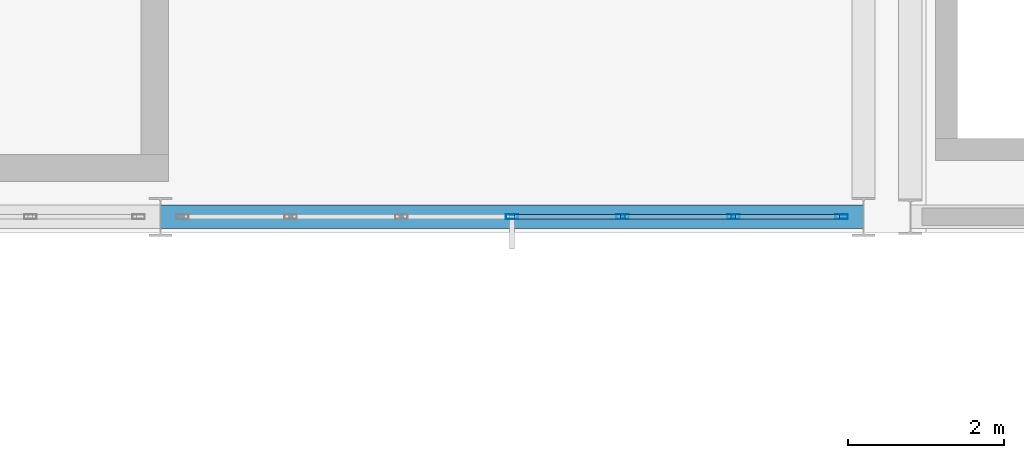
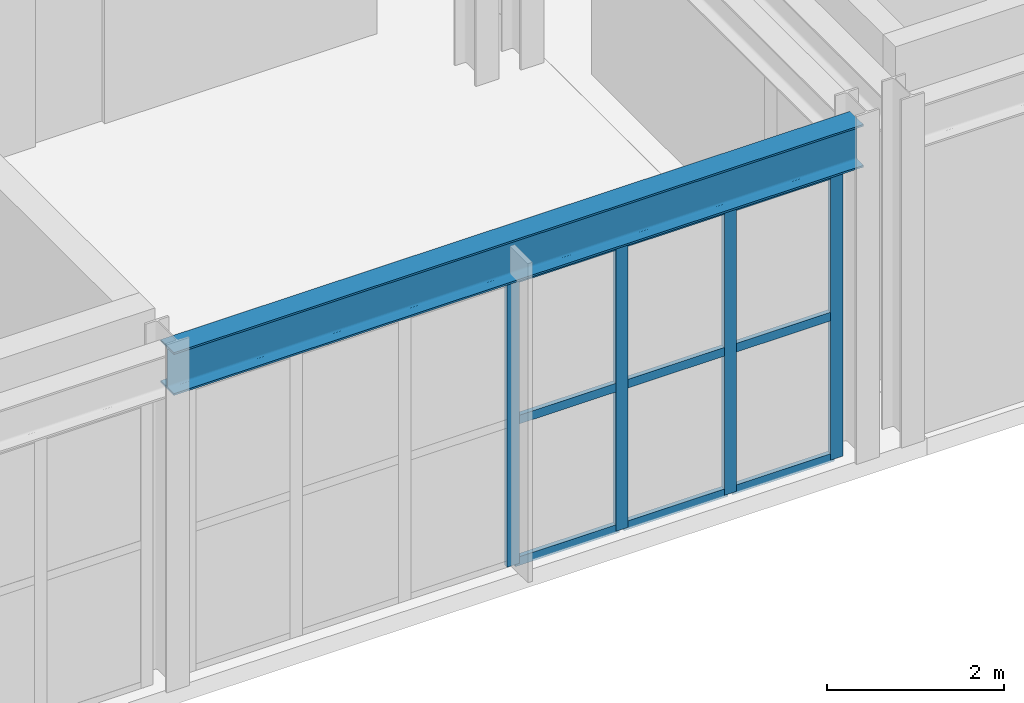
# One storey, part 35 of 112: 13 members, 1 beam, 1 element without a shape of its own.
"""IFC4 building model written with IfcOpenShell, lengths in metres."""

from ifc_helpers import new_model, si_unit, direction, frame, origin, origin_2d, place, context, subcontext, project, spatial, hollow_rectangle, i_section, extrude, material, material_profile, profile_set, type_object, element, aggregate, save


model = new_model("IFC4")

# Units and contexts
model_context = context("Model", 3, precision=1e-05, world=origin(), true_north=direction((0.0, 1.0)))
body_context = subcontext(model_context, "Body", "Model", "MODEL_VIEW")
ifc_project = project(units=[si_unit("LENGTHUNIT", "METRE"), si_unit("AREAUNIT", "SQUARE_METRE"), si_unit("VOLUMEUNIT", "CUBIC_METRE"), si_unit("PLANEANGLEUNIT", "RADIAN"), si_unit("MASSUNIT", "GRAM", prefix="KILO")], contexts=[model_context])

# Site, building, storey
site_placement = place(None, origin())
site = spatial("IfcSite", under=ifc_project, at=site_placement, CompositionType="ELEMENT")
building_placement = place(site_placement, origin())
building = spatial("IfcBuilding", under=site, at=building_placement, Name="Kaldris Quays Convention Centre", CompositionType="ELEMENT")
storey_placement = place(building_placement, frame((0.0, 0.0, 16.800048828125)))
storey = spatial("IfcBuildingStorey", under=building, at=storey_placement, Name="L03", CompositionType="ELEMENT", Elevation=16.800048828125)

# Curtain wall, members
ifc_material_1 = material(Name="Anodized aluminium AW-6060 and triple glazing", Category="aluminium")
curtain_wall_type = type_object("IfcCurtainWallType", Name="UNITISED CURTAIN WALL CW04", PredefinedType="NOTDEFINED", material=ifc_material_1)
curtain_wall_placement = place(storey_placement, origin())
curtain_wall = element("IfcCurtainWall", 1, at=curtain_wall_placement, inside=storey, type_object=curtain_wall_type, Name="L03 Unitised Curtain Wall CW04 127", PredefinedType="NOTDEFINED")
ifc_material_2 = material(Name="Anodized aluminium AW-6060", Category="aluminium")
ifc_material_profile_1 = material_profile(ifc_material_2, hollow_rectangle(XDim=0.06005859375, YDim=0.159912109375, WallThickness=0.00390625, at=origin_2d()), Name="RHS 160x60x4")
ifc_profile_set_1 = profile_set([ifc_material_profile_1], Name="Anodized aluminium AW-6060")
member_type_1 = type_object("IfcMemberType", Name="CURTAIN MULLION CWM1", PredefinedType="MULLION", material=ifc_profile_set_1)
member_1_placement = place(storey_placement, frame((141.5, 38.0, 0.0), z_axis=(0.0, 0.0, 1.0), x_axis=(0.0, 1.0, 0.0)))
member_1 = element("IfcMember", 2, at=member_1_placement, type_object=member_type_1, Name="CW04 mullion 4", PredefinedType="MULLION", context=body_context, shape_type="SweptSolid", body=[
    extrude(hollow_rectangle(XDim=0.06005859375, YDim=0.159912109375, WallThickness=0.00390625, at=origin_2d()), origin(), (0.0, 0.0, 1.0), 3.96484375),
])
member_2_placement = place(storey_placement, frame((142.916748046875, 38.0, 0.0), z_axis=(0.0, 0.0, 1.0), x_axis=(0.0, 1.0, 0.0)))
member_2 = element("IfcMember", 3, at=member_2_placement, type_object=member_type_1, Name="CW04 mullion 5", PredefinedType="MULLION", context=body_context, shape_type="SweptSolid", body=[
    extrude(hollow_rectangle(XDim=0.06005859375, YDim=0.159912109375, WallThickness=0.00390625, at=origin_2d()), origin(), (0.0, 0.0, 1.0), 3.96484375),
])
member_3_placement = place(storey_placement, frame((144.333251953125, 38.0, 0.0), z_axis=(0.0, 0.0, 1.0), x_axis=(0.0, 1.0, 0.0)))
member_3 = element("IfcMember", 4, at=member_3_placement, type_object=member_type_1, Name="CW04 mullion 6", PredefinedType="MULLION", context=body_context, shape_type="SweptSolid", body=[
    extrude(hollow_rectangle(XDim=0.06005859375, YDim=0.159912109375, WallThickness=0.00390625, at=origin_2d()), origin(), (0.0, 0.0, 1.0), 3.96484375),
])
member_4_placement = place(storey_placement, frame((145.719970703125, 38.0, 0.0), z_axis=(0.0, 0.0, 1.0), x_axis=(0.0, 1.0, 0.0)))
member_4 = element("IfcMember", 5, at=member_4_placement, type_object=member_type_1, Name="CW04 mullion 7", PredefinedType="MULLION", context=body_context, shape_type="SweptSolid", body=[
    extrude(hollow_rectangle(XDim=0.06005859375, YDim=0.159912109375, WallThickness=0.00390625, at=origin_2d()), origin(), (0.0, 0.0, 1.0), 3.96484375),
])
ifc_material_profile_2 = material_profile(ifc_material_2, hollow_rectangle(XDim=0.06005859375, YDim=0.1201171875, WallThickness=0.00390625, at=origin_2d()), Name="RHS 120x60x4")
ifc_profile_set_2 = profile_set([ifc_material_profile_2], Name="Anodized aluminium AW-6060")
member_type_2 = type_object("IfcMemberType", Name="CURTAIN TRANSOM CWT1", PredefinedType="USERDEFINED", material=ifc_profile_set_2)
member_5_placement = place(storey_placement, frame((141.530029296875, 38.0, 0.030029296875), z_axis=(1.0, 0.0, 0.0), x_axis=(0.0, 1.0, 0.0)))
member_5 = element("IfcMember", 6, at=member_5_placement, type_object=member_type_2, Name="CW04 transom 4.1", ObjectType="TRANSOM", PredefinedType="USERDEFINED", context=body_context, shape_type="SweptSolid", body=[
    extrude(hollow_rectangle(XDim=0.06005859375, YDim=0.1201171875, WallThickness=0.00390625, at=origin_2d()), origin(), (0.0, 0.0, 1.0), 1.356689453125),
])
member_6_placement = place(storey_placement, frame((141.530029296875, 38.0, 1.98193359375), z_axis=(1.0, 0.0, 0.0), x_axis=(0.0, 1.0, 0.0)))
member_6 = element("IfcMember", 7, at=member_6_placement, type_object=member_type_2, Name="CW04 transom 4.2", ObjectType="TRANSOM", PredefinedType="USERDEFINED", context=body_context, shape_type="SweptSolid", body=[
    extrude(hollow_rectangle(XDim=0.06005859375, YDim=0.1201171875, WallThickness=0.00390625, at=origin_2d()), origin(), (0.0, 0.0, 1.0), 1.356689453125),
])
member_7_placement = place(storey_placement, frame((141.530029296875, 38.0, 3.93505859375), z_axis=(1.0, 0.0, 0.0), x_axis=(0.0, 1.0, 0.0)))
member_7 = element("IfcMember", 8, at=member_7_placement, type_object=member_type_2, Name="CW04 transom 4.3", ObjectType="TRANSOM", PredefinedType="USERDEFINED", context=body_context, shape_type="SweptSolid", body=[
    extrude(hollow_rectangle(XDim=0.06005859375, YDim=0.1201171875, WallThickness=0.00390625, at=origin_2d()), origin(), (0.0, 0.0, 1.0), 1.356689453125),
])
member_8_placement = place(storey_placement, frame((142.94677734375, 38.0, 0.030029296875), z_axis=(1.0, 0.0, 0.0), x_axis=(0.0, 1.0, 0.0)))
member_8 = element("IfcMember", 9, at=member_8_placement, type_object=member_type_2, Name="CW04 transom 5.1", ObjectType="TRANSOM", PredefinedType="USERDEFINED", context=body_context, shape_type="SweptSolid", body=[
    extrude(hollow_rectangle(XDim=0.06005859375, YDim=0.1201171875, WallThickness=0.00390625, at=origin_2d()), origin(), (0.0, 0.0, 1.0), 1.3564453125),
])
member_9_placement = place(storey_placement, frame((142.94677734375, 38.0, 1.98193359375), z_axis=(1.0, 0.0, 0.0), x_axis=(0.0, 1.0, 0.0)))
member_9 = element("IfcMember", 10, at=member_9_placement, type_object=member_type_2, Name="CW04 transom 5.2", ObjectType="TRANSOM", PredefinedType="USERDEFINED", context=body_context, shape_type="SweptSolid", body=[
    extrude(hollow_rectangle(XDim=0.06005859375, YDim=0.1201171875, WallThickness=0.00390625, at=origin_2d()), origin(), (0.0, 0.0, 1.0), 1.3564453125),
])
member_10_placement = place(storey_placement, frame((142.94677734375, 38.0, 3.93505859375), z_axis=(1.0, 0.0, 0.0), x_axis=(0.0, 1.0, 0.0)))
member_10 = element("IfcMember", 11, at=member_10_placement, type_object=member_type_2, Name="CW04 transom 5.3", ObjectType="TRANSOM", PredefinedType="USERDEFINED", context=body_context, shape_type="SweptSolid", body=[
    extrude(hollow_rectangle(XDim=0.06005859375, YDim=0.1201171875, WallThickness=0.00390625, at=origin_2d()), origin(), (0.0, 0.0, 1.0), 1.3564453125),
])
member_11_placement = place(storey_placement, frame((144.36328125, 38.0, 0.030029296875), z_axis=(1.0, 0.0, 0.0), x_axis=(0.0, 1.0, 0.0)))
member_11 = element("IfcMember", 12, at=member_11_placement, type_object=member_type_2, Name="CW04 transom 6.1", ObjectType="TRANSOM", PredefinedType="USERDEFINED", context=body_context, shape_type="SweptSolid", body=[
    extrude(hollow_rectangle(XDim=0.06005859375, YDim=0.1201171875, WallThickness=0.00390625, at=origin_2d()), origin(), (0.0, 0.0, 1.0), 1.32666015625),
])
member_12_placement = place(storey_placement, frame((144.36328125, 38.0, 1.98193359375), z_axis=(1.0, 0.0, 0.0), x_axis=(0.0, 1.0, 0.0)))
member_12 = element("IfcMember", 13, at=member_12_placement, type_object=member_type_2, Name="CW04 transom 6.2", ObjectType="TRANSOM", PredefinedType="USERDEFINED", context=body_context, shape_type="SweptSolid", body=[
    extrude(hollow_rectangle(XDim=0.06005859375, YDim=0.1201171875, WallThickness=0.00390625, at=origin_2d()), origin(), (0.0, 0.0, 1.0), 1.32666015625),
])
member_13_placement = place(storey_placement, frame((144.36328125, 38.0, 3.93505859375), z_axis=(1.0, 0.0, 0.0), x_axis=(0.0, 1.0, 0.0)))
member_13 = element("IfcMember", 14, at=member_13_placement, type_object=member_type_2, Name="CW04 transom 6.3", ObjectType="TRANSOM", PredefinedType="USERDEFINED", context=body_context, shape_type="SweptSolid", body=[
    extrude(hollow_rectangle(XDim=0.06005859375, YDim=0.1201171875, WallThickness=0.00390625, at=origin_2d()), origin(), (0.0, 0.0, 1.0), 1.32666015625),
])
aggregate(curtain_wall, [member_1, member_2, member_3, member_4, member_5, member_6, member_7, member_8, member_9, member_10, member_11, member_12, member_13])

# Beam
ifc_material_3 = material(Name="Steel S355J2", Category="steel")
ifc_material_profile_3 = material_profile(ifc_material_3, i_section(OverallWidth=0.300048828125, OverallDepth=0.590087890625, WebThickness=0.012939453125, FlangeThickness=0.02490234375, FilletRadius=0.027099609375, at=origin_2d()), Name="HEA 600")
ifc_profile_set_3 = profile_set([ifc_material_profile_3], Name="Steel S355J2")
beam_type = type_object("IfcBeamType", Name="STRUCTURAL BEAM BM08", PredefinedType="BEAM", material=ifc_profile_set_3)
beam_placement = place(storey_placement, frame((137.001220703125, 38.0, 4.284912109375), z_axis=(1.0, 0.0, 0.0), x_axis=(0.0, 1.0, 0.0)))
element("IfcBeam", 15, at=beam_placement, inside=storey, type_object=beam_type, Name="L03 Girder BM08 7", PredefinedType="BEAM", context=body_context, shape_type="SweptSolid", body=[
    extrude(i_section(OverallWidth=0.300048828125, OverallDepth=0.590087890625, WebThickness=0.012939453125, FlangeThickness=0.02490234375, FilletRadius=0.027099609375, at=origin_2d()), origin(), (0.0, 0.0, 1.0), 8.99755859375),
])

save(model, "model.ifc")
